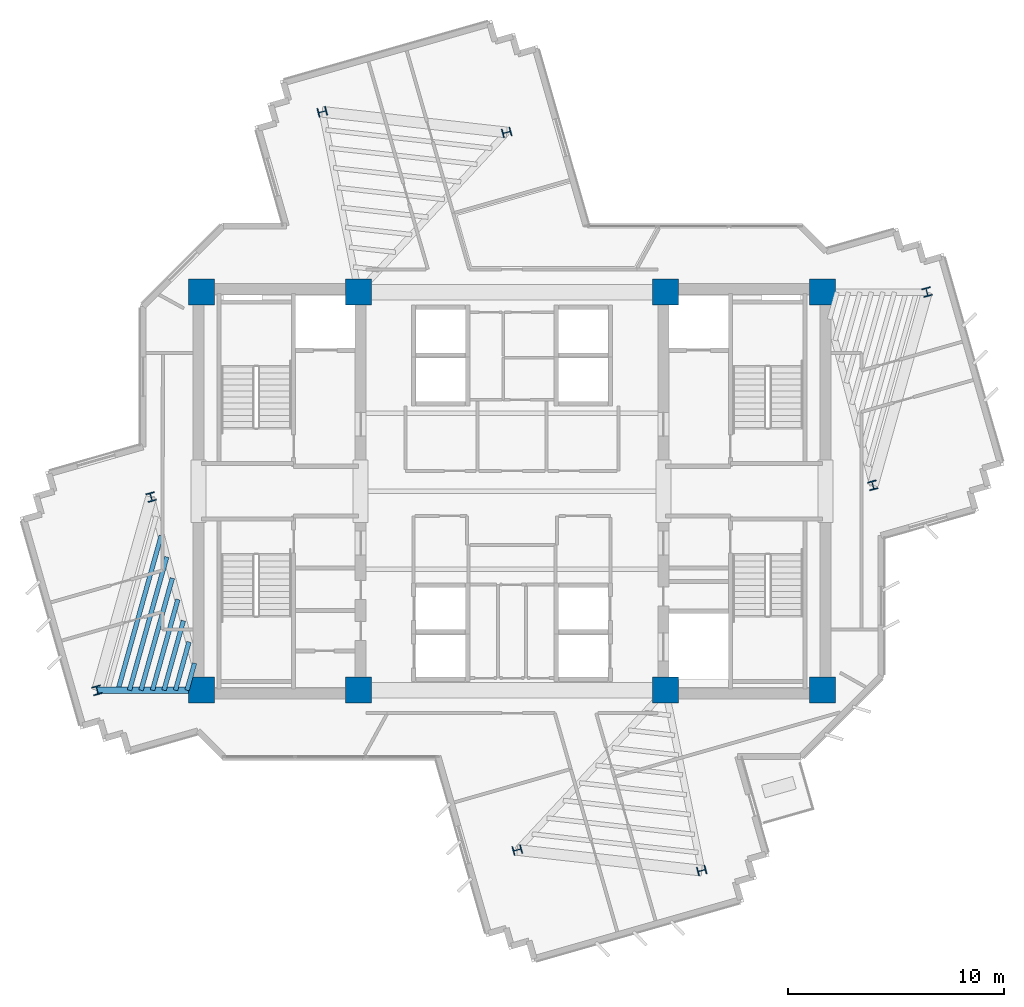
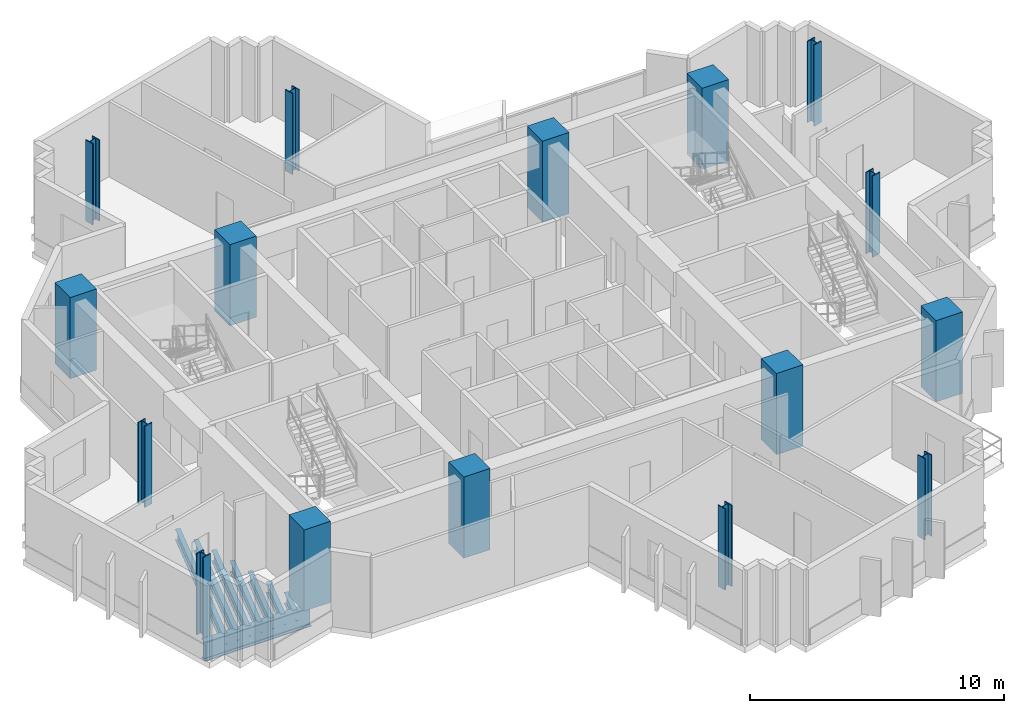
# One storey, part 1 of 14: 16 columns, 8 beams.
"""IFC4 building model written with IfcOpenShell, lengths in metres."""

from ifc_helpers import new_model, si_unit, direction, frame, origin, origin_2d, place, context, subcontext, project, spatial, rectangle, i_section, extrude, source, transform, mapped, material, material_profile, profile_set, type_object, element, save


model = new_model("IFC4")

# Units and contexts
model_context = context("Model", 3, precision=1e-05, world=origin(), true_north=direction((0.0, 1.0)))
body_context = subcontext(model_context, "Body", "Model", "MODEL_VIEW")
ifc_project = project(units=[si_unit("LENGTHUNIT", "METRE"), si_unit("AREAUNIT", "SQUARE_METRE"), si_unit("VOLUMEUNIT", "CUBIC_METRE"), si_unit("PLANEANGLEUNIT", "RADIAN"), si_unit("MASSUNIT", "GRAM", prefix="KILO")], contexts=[model_context])

# Site, building, storey
site_placement = place(None, origin())
site = spatial("IfcSite", under=ifc_project, at=site_placement, CompositionType="ELEMENT")
building_placement = place(site_placement, origin())
building = spatial("IfcBuilding", under=site, at=building_placement, Name="Zahravan Cultural Tower", CompositionType="ELEMENT")
storey_placement = place(building_placement, frame((0.0, 0.0, 209.699951171875)))
storey = spatial("IfcBuildingStorey", under=building, at=storey_placement, Name="L49", CompositionType="ELEMENT", Elevation=209.699951171875)

# Columns
ifc_material_1 = material(Name="Concrete C50/60", Category="concrete")
ifc_material_profile_1 = material_profile(ifc_material_1, rectangle(XDim=1.199951171875, YDim=1.199951171875, at=origin_2d()), Name="RC1200X1200")
ifc_profile_set_1 = profile_set([ifc_material_profile_1], Name="Concrete C50/60")
column_type_1 = type_object("IfcColumnType", Name="COL-RC1200", PredefinedType="COLUMN", material=ifc_profile_set_1)
shared_shape_1 = source(origin(), body_context, "Body", "SweptSolid", [
    extrude(rectangle(XDim=1.199951171875, YDim=1.199951171875, at=origin_2d()), origin(), (0.0, 0.0, 1.0), 3.900146484375),
])
for number, where, z_axis, x_axis, name in (
    (1, (21.64990234375, 17.800048828125, 0.0), (0.0, 0.0, 1.0), (1.0, 0.0, 0.0), "L49 Column CC-W1"),
    (2, (28.89990234375, 17.800048828125, 0.0), (0.0, 0.0, 1.0), (1.0, 0.0, 0.0), "L49 Column CC-W2"),
    (3, (21.64990234375, 36.199951171875, 0.0), (0.0, 0.0, 1.0), (1.0, 0.0, 0.0), "L49 Column CC-W3"),
    (4, (28.89990234375, 36.199951171875, 0.0), (0.0, 0.0, 1.0), (1.0, 0.0, 0.0), "L49 Column CC-W4"),
    (5, (43.10009765625, 17.800048828125, 0.0), (0.0, 0.0, 1.0), (1.0, 0.0, 0.0), "L49 Column CC-E1"),
    (6, (50.35009765625, 17.800048828125, 0.0), (0.0, 0.0, 1.0), (1.0, 0.0, 0.0), "L49 Column CC-E2"),
    (7, (43.10009765625, 36.199951171875, 0.0), (0.0, 0.0, 1.0), (1.0, 0.0, 0.0), "L49 Column CC-E3"),
    (8, (50.35009765625, 36.199951171875, 0.0), (0.0, 0.0, 1.0), (1.0, 0.0, 0.0), "L49 Column CC-E4"),
):
    element("IfcColumn", number, at=place(storey_placement, frame(where, z_axis=z_axis, x_axis=x_axis)), inside=storey, type_object=column_type_1, Name=name, PredefinedType="COLUMN", context=body_context, shape_type="MappedRepresentation", body=[
        mapped(shared_shape_1, transform((0.0, 0.0, 0.0), x_axis=(1.0, 0.0, 0.0), y_axis=(0.0, 1.0, 0.0), z_axis=(0.0, 0.0, 1.0), scale=1.0)),
    ])
ifc_material_2 = material(Name="Steel ASTM A992 Grade 50", Category="steel")
ifc_material_profile_2 = material_profile(ifc_material_2, i_section(OverallWidth=0.404052734375, OverallDepth=0.406982421875, WebThickness=0.027099609375, FlangeThickness=0.043701171875, FilletRadius=0.01806640625, at=origin_2d()), Name="W14X233")
ifc_profile_set_2 = profile_set([ifc_material_profile_2], Name="Steel ASTM A992 Grade 50")
column_type_2 = type_object("IfcColumnType", Name="COL-W14X233", PredefinedType="COLUMN", material=ifc_profile_set_2)
shared_shape_2 = source(origin(), body_context, "Body", "SweptSolid", [
    extrude(i_section(OverallWidth=0.404052734375, OverallDepth=0.406982421875, WebThickness=0.027099609375, FlangeThickness=0.043701171875, FilletRadius=0.01806640625, at=origin_2d()), origin(), (0.0, 0.0, 1.0), 3.900146484375),
])
for number, where, z_axis, x_axis, name in (
    (9, (52.684326171875, 27.27099609375, 0.0), (0.0, 0.0, 1.0), (0.966823388604, 0.255445757936, 0.0), "L49 Column Z2C-E1"),
    (10, (55.184814453125, 36.2060546875, 0.0), (0.0, 0.0, 1.0), (0.966823388604, 0.255445757936, 0.0), "L49 Column Z2C-E2"),
    (11, (35.754638671875, 43.587646484375, 0.0), (0.0, 0.0, 1.0), (-0.255445757936, 0.966823388604, 0.0), "L49 Column Z2C-N1"),
    (12, (27.22802734375, 44.541259765625, 0.0), (0.0, 0.0, 1.0), (-0.255445757936, 0.966823388604, 0.0), "L49 Column Z2C-N2"),
    (13, (19.315673828125, 26.72900390625, 0.0), (0.0, 0.0, 1.0), (0.966823388604, 0.255445757936, 0.0), "L49 Column Z2C-W1"),
    (14, (16.815185546875, 17.7939453125, 0.0), (0.0, 0.0, 1.0), (0.966823388604, 0.255445757936, 0.0), "L49 Column Z2C-W2"),
    (15, (36.245361328125, 10.412353515625, 0.0), (0.0, 0.0, 1.0), (-0.255445757936, 0.966823388604, 0.0), "L49 Column Z2C-S1"),
    (16, (44.77197265625, 9.458740234375, 0.0), (0.0, 0.0, 1.0), (-0.255445757936, 0.966823388604, 0.0), "L49 Column Z2C-S2"),
):
    element("IfcColumn", number, at=place(storey_placement, frame(where, z_axis=z_axis, x_axis=x_axis)), inside=storey, type_object=column_type_2, Name=name, PredefinedType="COLUMN", context=body_context, shape_type="MappedRepresentation", body=[
        mapped(shared_shape_2, transform((0.0, 0.0, 0.0), x_axis=(1.0, 0.0, 0.0), y_axis=(0.0, 1.0, 0.0), z_axis=(0.0, 0.0, 1.0), scale=1.0)),
    ])

# Beams
ifc_material_profile_3 = material_profile(ifc_material_2, i_section(OverallWidth=0.304931640625, OverallDepth=0.9189453125, WebThickness=0.017333984375, FlangeThickness=0.02783203125, FilletRadius=0.02392578125, at=origin_2d()), Name="W36X170")
ifc_profile_set_3 = profile_set([ifc_material_profile_3], Name="Steel ASTM A992 Grade 50")
beam_type_1 = type_object("IfcBeamType", Name="BM-G-W36X170", PredefinedType="BEAM", material=ifc_profile_set_3)
shared_shape_3 = source(origin(), body_context, "Body", "SweptSolid", [
    extrude(i_section(OverallWidth=0.304931640625, OverallDepth=0.9189453125, WebThickness=0.017333984375, FlangeThickness=0.02783203125, FilletRadius=0.02392578125, at=origin_2d()), origin(), (0.0, 0.0, 1.0), 4.834716796875),
])
beam_1_placement = place(storey_placement, frame((21.64990234375, 17.800048828125, -0.739501953125), z_axis=(-0.99999920313, -0.001262433979, 0.0), x_axis=(0.001262433979, -0.99999920313, 0.0)))
element("IfcBeam", 17, at=beam_1_placement, inside=storey, type_object=beam_type_1, Name="L49 Beam BG-L49-08", PredefinedType="BEAM", context=body_context, shape_type="MappedRepresentation", body=[
    mapped(shared_shape_3, transform((0.0, 0.0, 0.0), x_axis=(1.0, 0.0, 0.0), y_axis=(0.0, 1.0, 0.0), z_axis=(0.0, 0.0, 1.0), scale=1.0)),
])
ifc_material_profile_4 = material_profile(ifc_material_2, i_section(OverallWidth=0.2099609375, OverallDepth=0.532958984375, WebThickness=0.01025390625, FlangeThickness=0.015625, FilletRadius=0.013916015625, at=origin_2d()), Name="W21X62")
ifc_profile_set_4 = profile_set([ifc_material_profile_4], Name="Steel ASTM A992 Grade 50")
beam_type_2 = type_object("IfcBeamType", Name="BM-J-W21X62", PredefinedType="JOIST", material=ifc_profile_set_4)
shared_shape_4 = source(origin(), body_context, "Body", "SweptSolid", [
    extrude(i_section(OverallWidth=0.2099609375, OverallDepth=0.532958984375, WebThickness=0.01025390625, FlangeThickness=0.015625, FilletRadius=0.013916015625, at=origin_2d()), origin(), (0.0, 0.0, 1.0), 1.299072265625),
])
beam_2_placement = place(storey_placement, frame((21.3232421875, 19.050048828125, -0.54638671875), z_axis=(-0.269504444708, -0.962999145525, 0.0), x_axis=(0.962999145525, -0.269504444708, 0.0)))
element("IfcBeam", 18, at=beam_2_placement, inside=storey, type_object=beam_type_2, Name="L49 Beam BJ-L49-22", PredefinedType="JOIST", context=body_context, shape_type="MappedRepresentation", body=[
    mapped(shared_shape_4, transform((0.0, 0.0, 0.0), x_axis=(1.0, 0.0, 0.0), y_axis=(0.0, 1.0, 0.0), z_axis=(0.0, 0.0, 1.0), scale=1.0)),
])
shared_shape_5 = source(origin(), body_context, "Body", "SweptSolid", [
    extrude(i_section(OverallWidth=0.2099609375, OverallDepth=0.532958984375, WebThickness=0.01025390625, FlangeThickness=0.015625, FilletRadius=0.013916015625, at=origin_2d()), origin(), (0.0, 0.0, 1.0), 2.3193359375),
])
beam_3_placement = place(storey_placement, frame((21.06640625, 20.0322265625, -0.54638671875), z_axis=(-0.269462038626, -0.963011012263, 0.0), x_axis=(0.963011012263, -0.269462038626, 0.0)))
element("IfcBeam", 19, at=beam_3_placement, inside=storey, type_object=beam_type_2, Name="L49 Beam BJ-L49-23", PredefinedType="JOIST", context=body_context, shape_type="MappedRepresentation", body=[
    mapped(shared_shape_5, transform((0.0, 0.0, 0.0), x_axis=(1.0, 0.0, 0.0), y_axis=(0.0, 1.0, 0.0), z_axis=(0.0, 0.0, 1.0), scale=1.0)),
])
shared_shape_6 = source(origin(), body_context, "Body", "SweptSolid", [
    extrude(i_section(OverallWidth=0.2099609375, OverallDepth=0.532958984375, WebThickness=0.01025390625, FlangeThickness=0.015625, FilletRadius=0.013916015625, at=origin_2d()), origin(), (0.0, 0.0, 1.0), 3.340087890625),
])
beam_4_placement = place(storey_placement, frame((20.809814453125, 21.014404296875, -0.54638671875), z_axis=(-0.269562146951, -0.962982995141, 0.0), x_axis=(0.962982995141, -0.269562146951, 0.0)))
element("IfcBeam", 20, at=beam_4_placement, inside=storey, type_object=beam_type_2, Name="L49 Beam BJ-L49-24", PredefinedType="JOIST", context=body_context, shape_type="MappedRepresentation", body=[
    mapped(shared_shape_6, transform((0.0, 0.0, 0.0), x_axis=(1.0, 0.0, 0.0), y_axis=(0.0, 1.0, 0.0), z_axis=(0.0, 0.0, 1.0), scale=1.0)),
])
shared_shape_7 = source(origin(), body_context, "Body", "SweptSolid", [
    extrude(i_section(OverallWidth=0.2099609375, OverallDepth=0.532958984375, WebThickness=0.01025390625, FlangeThickness=0.015625, FilletRadius=0.013916015625, at=origin_2d()), origin(), (0.0, 0.0, 1.0), 4.36083984375),
])
beam_5_placement = place(storey_placement, frame((20.552978515625, 21.99658203125, -0.54638671875), z_axis=(-0.269511557673, -0.962997154866, 0.0), x_axis=(0.962997154866, -0.269511557673, 0.0)))
element("IfcBeam", 21, at=beam_5_placement, inside=storey, type_object=beam_type_2, Name="L49 Beam BJ-L49-25", PredefinedType="JOIST", context=body_context, shape_type="MappedRepresentation", body=[
    mapped(shared_shape_7, transform((0.0, 0.0, 0.0), x_axis=(1.0, 0.0, 0.0), y_axis=(0.0, 1.0, 0.0), z_axis=(0.0, 0.0, 1.0), scale=1.0)),
])
shared_shape_8 = source(origin(), body_context, "Body", "SweptSolid", [
    extrude(i_section(OverallWidth=0.2099609375, OverallDepth=0.532958984375, WebThickness=0.01025390625, FlangeThickness=0.015625, FilletRadius=0.013916015625, at=origin_2d()), origin(), (0.0, 0.0, 1.0), 5.3818359375),
])
beam_6_placement = place(storey_placement, frame((20.296142578125, 22.97900390625, -0.54638671875), z_axis=(-0.269510454638, -0.962997463569, 0.0), x_axis=(0.962997463569, -0.269510454638, 0.0)))
element("IfcBeam", 22, at=beam_6_placement, inside=storey, type_object=beam_type_2, Name="L49 Beam BJ-L49-26", PredefinedType="JOIST", context=body_context, shape_type="MappedRepresentation", body=[
    mapped(shared_shape_8, transform((0.0, 0.0, 0.0), x_axis=(1.0, 0.0, 0.0), y_axis=(0.0, 1.0, 0.0), z_axis=(0.0, 0.0, 1.0), scale=1.0)),
])
shared_shape_9 = source(origin(), body_context, "Body", "SweptSolid", [
    extrude(i_section(OverallWidth=0.2099609375, OverallDepth=0.532958984375, WebThickness=0.01025390625, FlangeThickness=0.015625, FilletRadius=0.013916015625, at=origin_2d()), origin(), (0.0, 0.0, 1.0), 6.402099609375),
])
beam_7_placement = place(storey_placement, frame((20.039306640625, 23.961181640625, -0.54638671875), z_axis=(-0.269494133533, -0.963002031146, 0.0), x_axis=(0.963002031146, -0.269494133533, 0.0)))
element("IfcBeam", 23, at=beam_7_placement, inside=storey, type_object=beam_type_2, Name="L49 Beam BJ-L49-27", PredefinedType="JOIST", context=body_context, shape_type="MappedRepresentation", body=[
    mapped(shared_shape_9, transform((0.0, 0.0, 0.0), x_axis=(1.0, 0.0, 0.0), y_axis=(0.0, 1.0, 0.0), z_axis=(0.0, 0.0, 1.0), scale=1.0)),
])
shared_shape_10 = source(origin(), body_context, "Body", "SweptSolid", [
    extrude(i_section(OverallWidth=0.2099609375, OverallDepth=0.532958984375, WebThickness=0.01025390625, FlangeThickness=0.015625, FilletRadius=0.013916015625, at=origin_2d()), origin(), (0.0, 0.0, 1.0), 7.4228515625),
])
beam_8_placement = place(storey_placement, frame((19.78271484375, 24.943359375, -0.54638671875), z_axis=(-0.269504266128, -0.962999195503, 0.0), x_axis=(0.962999195503, -0.269504266128, 0.0)))
element("IfcBeam", 24, at=beam_8_placement, inside=storey, type_object=beam_type_2, Name="L49 Beam BJ-L49-28", PredefinedType="JOIST", context=body_context, shape_type="MappedRepresentation", body=[
    mapped(shared_shape_10, transform((0.0, 0.0, 0.0), x_axis=(1.0, 0.0, 0.0), y_axis=(0.0, 1.0, 0.0), z_axis=(0.0, 0.0, 1.0), scale=1.0)),
])

save(model, "model.ifc")
